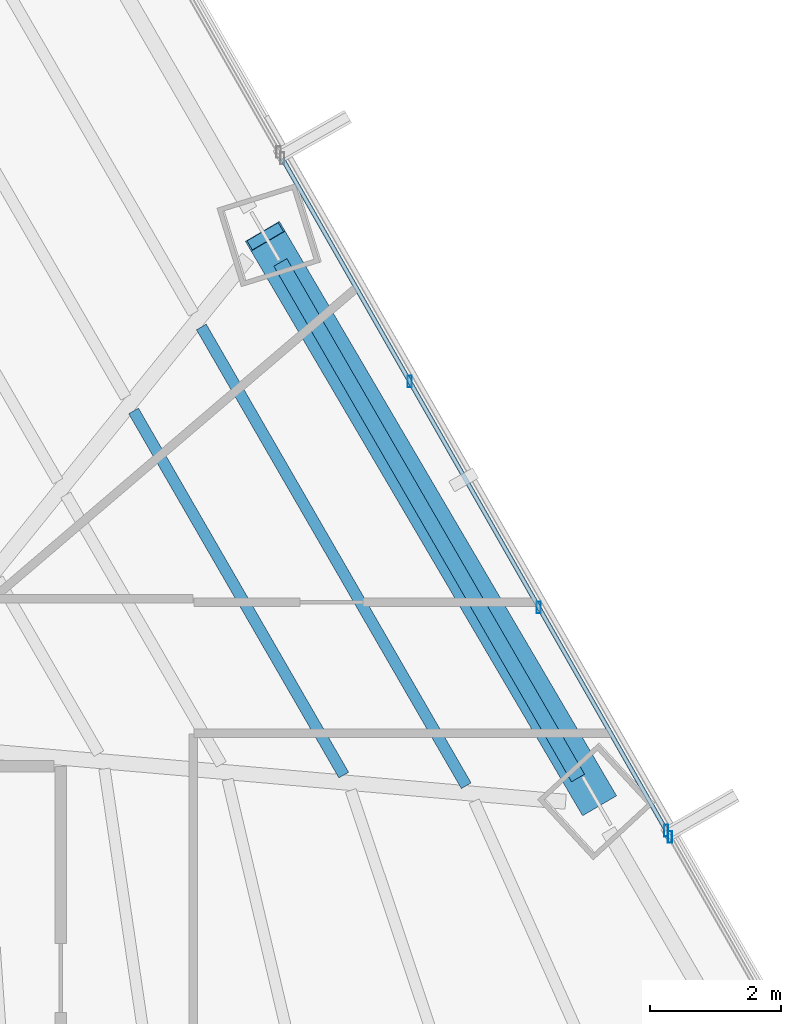
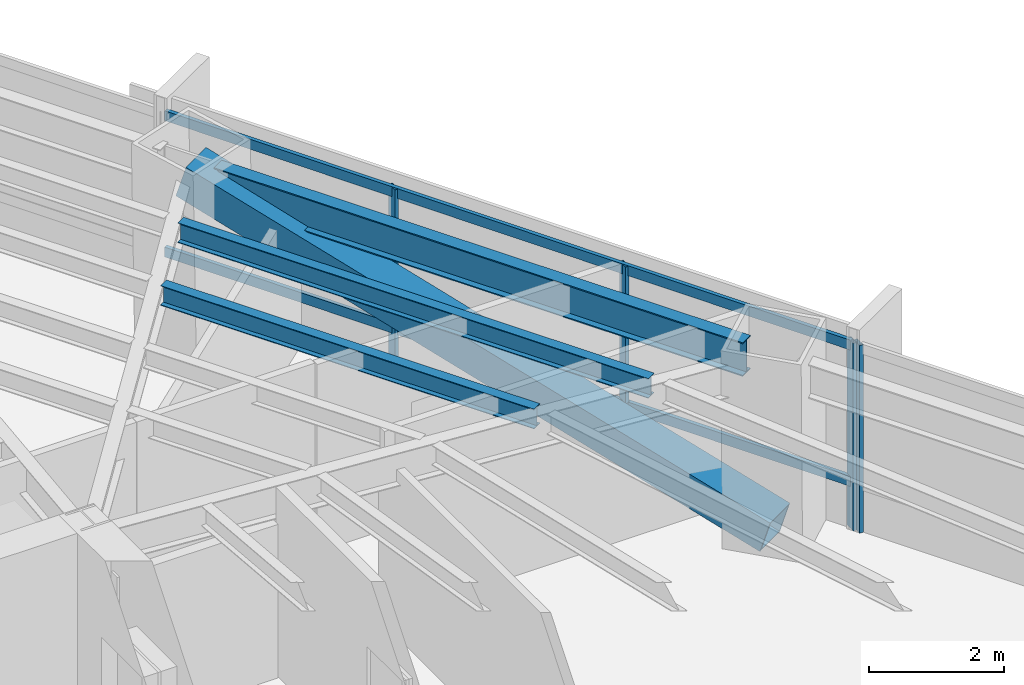
# One storey, part 21 of 34: 7 members, 3 beams, 2 elements without a shape of their own.
"""IFC4 building model written with IfcOpenShell, lengths in metres."""

from ifc_helpers import new_model, si_unit, direction, frame, origin, origin_2d, place, context, subcontext, project, spatial, hollow_rectangle, i_section, extrude, source, transform, mapped, material, material_profile, profile_set, type_object, type_shapes, element, aggregate, save


model = new_model("IFC4")

# Units and contexts
model_context = context("Model", 3, precision=1e-05, world=origin(), true_north=direction((0.0, 1.0)))
body_context = subcontext(model_context, "Body", "Model", "MODEL_VIEW")
ifc_project = project(units=[si_unit("LENGTHUNIT", "METRE"), si_unit("AREAUNIT", "SQUARE_METRE"), si_unit("VOLUMEUNIT", "CUBIC_METRE"), si_unit("PLANEANGLEUNIT", "RADIAN"), si_unit("MASSUNIT", "GRAM", prefix="KILO")], contexts=[model_context])

# Site, building, storey
site_placement = place(None, origin())
site = spatial("IfcSite", under=ifc_project, at=site_placement, CompositionType="ELEMENT")
building_placement = place(site_placement, origin())
building = spatial("IfcBuilding", under=site, at=building_placement, Name="Caelisora Broadcast Tower", CompositionType="ELEMENT")
storey_placement = place(building_placement, frame((0.0, 0.0, 49.5)))
storey = spatial("IfcBuildingStorey", under=building, at=storey_placement, Name="L12", CompositionType="ELEMENT", Elevation=49.5)

# Beams
ifc_material_1 = material(Name="Steel Grade 350 (AS/NZS 3679.1)", Category="steel")
ifc_material_profile_1 = material_profile(ifc_material_1, i_section(OverallWidth=0.22900390625, OverallDepth=0.611572265625, WebThickness=0.011962890625, FlangeThickness=0.01953125, at=origin_2d()), Name="Steel Grade 350 (AS/NZS 3679.1)")
ifc_profile_set_1 = profile_set([ifc_material_profile_1], Name="Steel Grade 350 (AS/NZS 3679.1)")
beam_type_1 = type_object("IfcBeamType", Name="PG03", PredefinedType="BEAM", material=ifc_profile_set_1)
shared_shape_1 = source(origin(), body_context, "Body", "SweptSolid", [
    extrude(i_section(OverallWidth=0.22900390625, OverallDepth=0.611572265625, WebThickness=0.011962890625, FlangeThickness=0.01953125, at=origin_2d()), origin(), (0.0, 0.0, 1.0), 9.064208984375),
])
type_shapes(beam_type_1, [shared_shape_1])
beam_1_placement = place(storey_placement, frame((56.45556640625, 29.422119140625, 3.09423828125), z_axis=(-0.500009227573, 0.866020076177, 0.0), x_axis=(-0.866020076177, -0.500009227573, 0.0)))
element("IfcBeam", 1, at=beam_1_placement, inside=storey, type_object=beam_type_1, Name="L12 beam PG03", PredefinedType="BEAM", context=body_context, shape_type="MappedRepresentation", body=[
    mapped(shared_shape_1, transform((0.0, 0.0, 0.0), scale=1.0)),
])
ifc_material_profile_2 = material_profile(ifc_material_1, i_section(OverallWidth=0.172119140625, OverallDepth=0.358642578125, WebThickness=0.008056640625, FlangeThickness=0.012939453125, at=origin_2d()), Name="Steel Grade 350 (AS/NZS 3679.1)")
ifc_profile_set_2 = profile_set([ifc_material_profile_2], Name="Steel Grade 350 (AS/NZS 3679.1)")
beam_type_2 = type_object("IfcBeamType", Name="SB02", PredefinedType="JOIST", material=ifc_profile_set_2)
shared_shape_2 = source(origin(), body_context, "Body", "SweptSolid", [
    extrude(i_section(OverallWidth=0.172119140625, OverallDepth=0.358642578125, WebThickness=0.008056640625, FlangeThickness=0.012939453125, at=origin_2d()), origin(), (0.0, 0.0, 1.0), 6.40087890625),
])
beam_2_placement = place(storey_placement, frame((52.888916015625, 29.466796875, 3.220703125), z_axis=(-0.49999098308, 0.866030609643, 0.0), x_axis=(-0.866030609643, -0.49999098308, 0.0)))
element("IfcBeam", 2, at=beam_2_placement, inside=storey, type_object=beam_type_2, Name="L12 beam SB02", PredefinedType="JOIST", context=body_context, shape_type="MappedRepresentation", body=[
    mapped(shared_shape_2, transform((0.0, 0.0, 0.0), scale=1.0)),
])
shared_shape_3 = source(origin(), body_context, "Body", "SweptSolid", [
    extrude(i_section(OverallWidth=0.172119140625, OverallDepth=0.358642578125, WebThickness=0.008056640625, FlangeThickness=0.012939453125, at=origin_2d()), origin(), (0.0, 0.0, 1.0), 8.065185546875),
])
type_shapes(beam_type_2, [shared_shape_2, shared_shape_3])
beam_3_placement = place(storey_placement, frame((54.753173828125, 29.30419921875, 3.220703125), z_axis=(-0.499990604118, 0.866030828432, 0.0), x_axis=(-0.866030828432, -0.499990604118, 0.0)))
element("IfcBeam", 3, at=beam_3_placement, inside=storey, type_object=beam_type_2, Name="L12 beam SB02", PredefinedType="JOIST", context=body_context, shape_type="MappedRepresentation", body=[
    mapped(shared_shape_3, transform((0.0, 0.0, 0.0), scale=1.0)),
])

# Member
ifc_material_2 = material(Name="Steel Grade 450 L15 (AS/NZS 3678)", Category="steel")
ifc_material_profile_3 = material_profile(ifc_material_2, hollow_rectangle(XDim=0.60009765625, YDim=0.60009765625, WallThickness=0.02490234375, at=origin_2d()), Name="Steel Grade 450 L15 (AS/NZS 3678)")
ifc_profile_set_3 = profile_set([ifc_material_profile_3], Name="Steel Grade 450 L15 (AS/NZS 3678)")
member_type_1 = type_object("IfcMemberType", Name="BR01", PredefinedType="BRACE", material=ifc_profile_set_3)
shared_shape_4 = source(origin(), body_context, "Body", "SweptSolid", [
    extrude(hollow_rectangle(XDim=0.60009765625, YDim=0.60009765625, WallThickness=0.02490234375, at=origin_2d()), origin(), (0.0, 0.0, 1.0), 10.409912109375),
])
type_shapes(member_type_1, [shared_shape_4])
member_1_placement = place(storey_placement, frame((56.739990234375, 29.073974609375, 0.10009765625), z_axis=(-0.484788867925, 0.825789793842, 0.288185651834), x_axis=(-0.862376499842, -0.506267491075, 0.0)))
element("IfcMember", 4, at=member_1_placement, inside=storey, type_object=member_type_1, Name="L12 perimeter brace BR01", PredefinedType="BRACE", context=body_context, shape_type="MappedRepresentation", body=[
    mapped(shared_shape_4, transform((0.0, 0.0, 0.0), scale=1.0)),
])

# Curtain wall, members
ifc_material_3 = material(Name="Unitised Aluminium Insulated Shadow-Box Spandrel Curtain Wall", Category="aluminium")
curtain_wall_type_1 = type_object("IfcCurtainWallType", Name="CW-SP1", PredefinedType="NOTDEFINED", material=ifc_material_3)
curtain_wall_1_placement = place(storey_placement, origin())
curtain_wall_1 = element("IfcCurtainWall", 5, at=curtain_wall_1_placement, inside=storey, type_object=curtain_wall_type_1, Name="L12 curtain wall CW-SP1", PredefinedType="NOTDEFINED")
ifc_material_4 = material(Name="Aluminium 6063-T6 Anodised Terracotta Bronze", Category="aluminium")
ifc_material_profile_4 = material_profile(ifc_material_4, hollow_rectangle(XDim=0.06494140625, YDim=0.179931640625, WallThickness=0.00341796875, at=origin_2d()), Name="Aluminium 6063-T6 Anodised Terracotta Bronze")
ifc_profile_set_4 = profile_set([ifc_material_profile_4], Name="Aluminium 6063-T6 Anodised Terracotta Bronze")
member_type_2 = type_object("IfcMemberType", Name="CWM-02", PredefinedType="MULLION", material=ifc_profile_set_4)
shared_shape_5 = source(origin(), body_context, "Body", "SweptSolid", [
    extrude(hollow_rectangle(XDim=0.06494140625, YDim=0.179931640625, WallThickness=0.00341796875, at=origin_2d()), origin(), (0.0, 0.0, 1.0), 3.39990234375),
])
type_shapes(member_type_2, [shared_shape_5])
member_2_placement = place(storey_placement, frame((53.892578125, 35.460205078125, 0.0), z_axis=(0.0, 0.0, 1.0), x_axis=(1.0, 0.0, 0.0)))
member_2 = element("IfcMember", 6, at=member_2_placement, type_object=member_type_2, Name="L12-CW-B02 mullion #1", PredefinedType="MULLION", context=body_context, shape_type="MappedRepresentation", body=[
    mapped(shared_shape_5, transform((0.0, 0.0, 0.0), scale=1.0)),
])
member_3_placement = place(storey_placement, frame((55.85888671875, 32.0185546875, 0.0), z_axis=(0.0, 0.0, 1.0), x_axis=(1.0, 0.0, 0.0)))
member_3 = element("IfcMember", 7, at=member_3_placement, type_object=member_type_2, Name="L12-CW-B02 mullion #2", PredefinedType="MULLION", context=body_context, shape_type="MappedRepresentation", body=[
    mapped(shared_shape_5, transform((0.0, 0.0, 0.0), scale=1.0)),
])
member_4_placement = place(storey_placement, frame((57.80029296875, 28.620361328125, 0.0), z_axis=(0.0, 0.0, 1.0), x_axis=(1.0, 0.0, 0.0)))
member_4 = element("IfcMember", 8, at=member_4_placement, type_object=member_type_2, Name="L12-CW-B02 mullion #3", PredefinedType="MULLION", context=body_context, shape_type="MappedRepresentation", body=[
    mapped(shared_shape_5, transform((0.0, 0.0, 0.0), scale=1.0)),
])

# Curtain wall, member
ifc_material_5 = material(Name="Unitised Aluminium and Low-E Glass Curtain Wall", Category="glass")
curtain_wall_type_2 = type_object("IfcCurtainWallType", Name="CW-Z1", PredefinedType="NOTDEFINED", material=ifc_material_5)
curtain_wall_2_placement = place(storey_placement, origin())
curtain_wall_2 = element("IfcCurtainWall", 9, at=curtain_wall_2_placement, inside=storey, type_object=curtain_wall_type_2, Name="L12 curtain wall CW-Z1", PredefinedType="NOTDEFINED")
member_5_placement = place(storey_placement, frame((57.85498046875, 28.524658203125, 0.0), z_axis=(0.0, 0.0, 1.0), x_axis=(1.0, 0.0, 0.0)))
member_5 = element("IfcMember", 10, at=member_5_placement, type_object=member_type_2, Name="L12-CW-B03 mullion #0", PredefinedType="MULLION", context=body_context, shape_type="MappedRepresentation", body=[
    mapped(shared_shape_5, transform((0.0, 0.0, 0.0), scale=1.0)),
])
aggregate(curtain_wall_2, [member_5])

# Member
ifc_material_profile_5 = material_profile(ifc_material_4, hollow_rectangle(XDim=0.06494140625, YDim=0.179931640625, WallThickness=0.00341796875, at=origin_2d()), Name="Aluminium 6063-T6 Anodised Terracotta Bronze")
ifc_profile_set_5 = profile_set([ifc_material_profile_5], Name="Aluminium 6063-T6 Anodised Terracotta Bronze")
member_type_3 = type_object("IfcMemberType", Name="CWT-01", PredefinedType="USERDEFINED", material=ifc_profile_set_5)
shared_shape_6 = source(origin(), body_context, "Body", "SweptSolid", [
    extrude(hollow_rectangle(XDim=0.06494140625, YDim=0.179931640625, WallThickness=0.00341796875, at=origin_2d()), origin(), (0.0, 0.0, 1.0), 11.79150390625),
])
type_shapes(member_type_3, [shared_shape_6])
member_6_placement = place(storey_placement, frame((51.950927734375, 38.858642578125, 0.85009765625), z_axis=(0.496069814117, -0.86828263804, 0.0), x_axis=(0.86828263804, 0.496069814117, 0.0)))
member_6 = element("IfcMember", 11, at=member_6_placement, type_object=member_type_3, Name="L12-CW-B02 transom #1", ObjectType="TRANSOM", PredefinedType="USERDEFINED", context=body_context, shape_type="MappedRepresentation", body=[
    mapped(shared_shape_6, transform((0.0, 0.0, 0.0), scale=1.0)),
])

member_7_placement = place(storey_placement, frame((51.950927734375, 38.858642578125, 3.320068359375), z_axis=(0.496069814117, -0.86828263804, 0.0), x_axis=(0.86828263804, 0.496069814117, 0.0)))
member_7 = element("IfcMember", 12, at=member_7_placement, type_object=member_type_3, Name="L12-CW-B02 transom #2", ObjectType="TRANSOM", PredefinedType="USERDEFINED", context=body_context, shape_type="MappedRepresentation", body=[
    mapped(shared_shape_6, transform((0.0, 0.0, 0.0), scale=1.0)),
])

aggregate(curtain_wall_1, [member_2, member_3, member_4, member_6, member_7])

save(model, "model.ifc")
